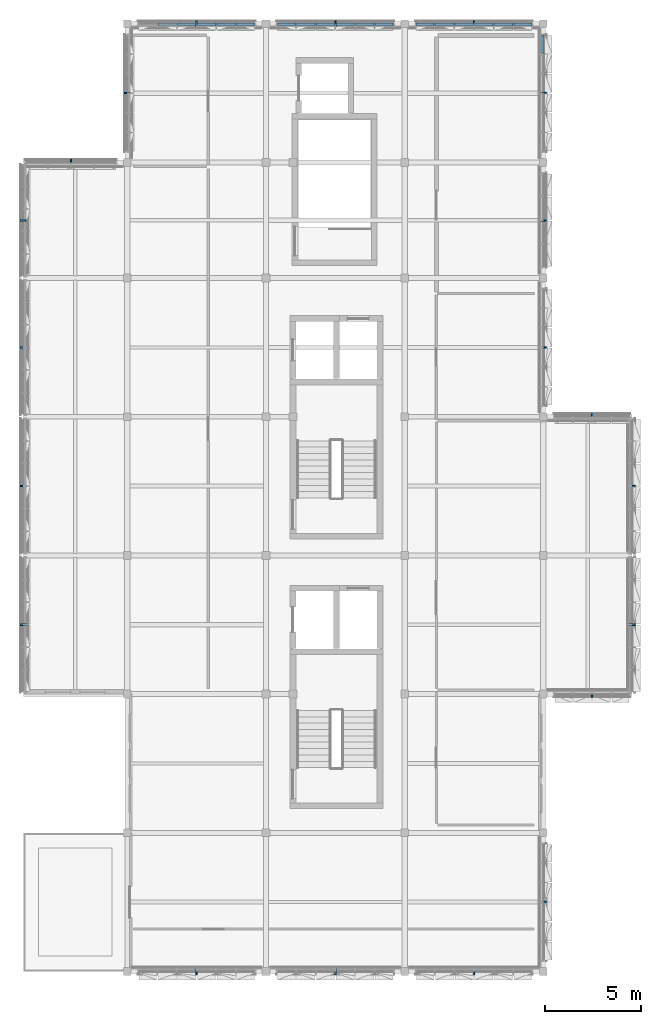
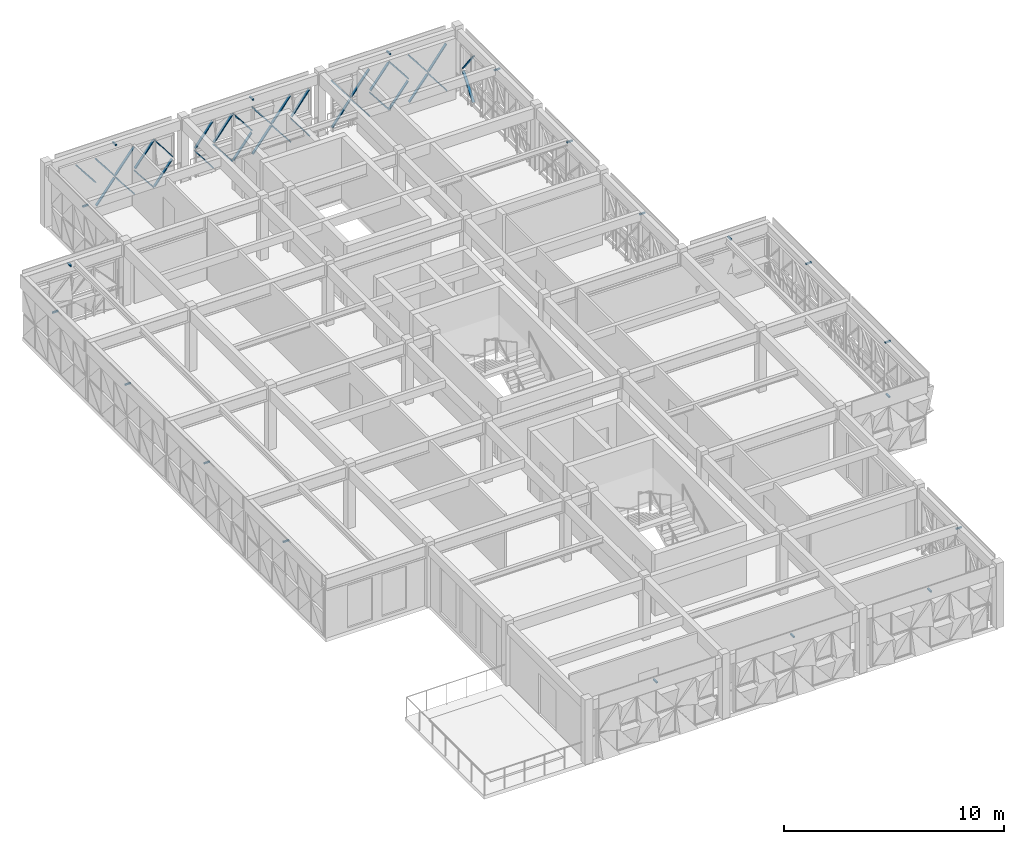
# One storey, part 19 of 25: 55 discrete accessories.
"""IFC4 building model written with IfcOpenShell, lengths in metres."""

from ifc_helpers import new_model, si_unit, direction, frame, origin, origin_2d, place, context, subcontext, project, spatial, rectangle, extrude, material, type_object, element, save


model = new_model("IFC4")

# Units and contexts
model_context = context("Model", 3, precision=1e-05, world=origin(), true_north=direction((0.0, 1.0)))
body_context = subcontext(model_context, "Body", "Model", "MODEL_VIEW")
ifc_project = project(units=[si_unit("LENGTHUNIT", "METRE"), si_unit("AREAUNIT", "SQUARE_METRE"), si_unit("VOLUMEUNIT", "CUBIC_METRE"), si_unit("PLANEANGLEUNIT", "RADIAN"), si_unit("MASSUNIT", "GRAM", prefix="KILO")], contexts=[model_context])

# Site, building, storey
site_placement = place(None, origin())
site = spatial("IfcSite", under=ifc_project, at=site_placement, CompositionType="ELEMENT")
building_placement = place(site_placement, origin())
building = spatial("IfcBuilding", under=site, at=building_placement, Name="Alvorim Cloister Faculty of Sciences", CompositionType="ELEMENT")
storey_placement = place(building_placement, frame((0.0, 0.0, 29.699951171875)))
storey = spatial("IfcBuildingStorey", under=building, at=storey_placement, Name="L08", CompositionType="ELEMENT", Elevation=29.699951171875)

# Discrete accessories
ifc_material = material(Name="Aluminium Alloy 6063-T6", Category="aluminium")
discrete_accessory_type = type_object("IfcDiscreteAccessoryType", Name="ACC-DIAG-BAR", PredefinedType="BRACKET", material=ifc_material)
for number, where, z_axis, x_axis, name in (
    (1, (1.93994140625, 25.199951171875, 3.233642578125), (-1.0, 0.0, 0.0), (0.0, -1.0, 0.0), "Slab-Edge Fascia Tie Bracket ACC-03143"),
    (2, (1.93994140625, 32.39990234375, 3.233642578125), (-1.0, 0.0, 0.0), (0.0, -1.0, 0.0), "Slab-Edge Fascia Tie Bracket ACC-03156"),
    (3, (1.93994140625, 39.60009765625, 3.233642578125), (-1.0, 0.0, 0.0), (0.0, -1.0, 0.0), "Slab-Edge Fascia Tie Bracket ACC-03169"),
    (4, (1.93994140625, 46.199951171875, 3.233642578125), (-1.0, 0.0, 0.0), (0.0, -1.0, 0.0), "Slab-Edge Fascia Tie Bracket ACC-03180"),
    (5, (4.27001953125, 49.06005859375, 3.157958984375), (0.0, 1.0, 0.0), (-1.0, 0.0, 0.0), "Slab-Edge Fascia Tie Bracket ACC-03189"),
    (6, (7.340087890625, 52.800048828125, 3.22998046875), (-1.0, 0.0, 0.0), (0.0, -1.0, 0.0), "Slab-Edge Fascia Tie Bracket ACC-03202"),
):
    element("IfcDiscreteAccessory", number, at=place(storey_placement, frame(where, z_axis=z_axis, x_axis=x_axis)), inside=storey, type_object=discrete_accessory_type, Name=name, PredefinedType="BRACKET", context=body_context, shape_type="SweptSolid", body=[
        extrude(rectangle(XDim=0.080078125, YDim=0.080078125, at=origin_2d()), origin(), (0.0, 0.0, 1.0), 0.300048828125),
    ])
for number, where, z_axis, x_axis, name in (
    (7, (8.79248046875, 56.37744140625, 2.719970703125), (0.616422853607, -0.006460464468, -0.787388803546), (0.010479997039, 0.999945083323, 0.0), "Diagonal Cassette Glazing Bracket ACC-03206"),
    (8, (9.8125, 56.37744140625, 0.14013671875), (0.616422853607, -0.006460464468, 0.787388803546), (0.010479997039, 0.999945083323, 0.0), "Diagonal Cassette Glazing Bracket ACC-03207"),
    (9, (9.8125, 56.37744140625, 2.719970703125), (0.616422853607, -0.006460464468, -0.787388803546), (0.010479997039, 0.999945083323, 0.0), "Diagonal Cassette Glazing Bracket ACC-03208"),
    (10, (10.83251953125, 56.37744140625, 1.360107421875), (0.616422853607, -0.006460464468, -0.787388803546), (0.010479997039, 0.999945083323, 0.0), "Diagonal Cassette Glazing Bracket ACC-03209"),
    (11, (10.83251953125, 56.37744140625, 1.5), (0.616422853607, -0.006460464468, 0.787388803546), (0.010479997039, 0.999945083323, 0.0), "Diagonal Cassette Glazing Bracket ACC-03210"),
    (12, (11.8525390625, 56.37744140625, 1.360107421875), (0.616422853607, -0.006460464468, -0.787388803546), (0.010479997039, 0.999945083323, 0.0), "Diagonal Cassette Glazing Bracket ACC-03211"),
    (13, (11.8525390625, 56.37744140625, 1.5), (0.616422853607, -0.006460464468, 0.787388803546), (0.010479997039, 0.999945083323, 0.0), "Diagonal Cassette Glazing Bracket ACC-03212"),
):
    element("IfcDiscreteAccessory", number, at=place(storey_placement, frame(where, z_axis=z_axis, x_axis=x_axis)), inside=storey, type_object=discrete_accessory_type, Name=name, PredefinedType="BRACKET", context=body_context, shape_type="SweptSolid", body=[
        extrude(rectangle(XDim=0.139892578125, YDim=0.044921875, at=origin_2d()), origin(), (0.0, 0.0, 1.0), 1.54931640625),
    ])
for number, where, z_axis, x_axis, name in (
    (14, (12.87255859375, 56.37744140625, 0.14013671875), (0.603073063181, -0.006544731496, 0.797659104477), (0.010851663811, 0.999941118963, 0.0), "Diagonal Cassette Glazing Bracket ACC-03213"),
    (15, (12.87255859375, 56.37744140625, 2.719970703125), (0.603073063181, -0.006544731496, -0.797659104477), (0.010851663811, 0.999941118963, 0.0), "Diagonal Cassette Glazing Bracket ACC-03214"),
):
    element("IfcDiscreteAccessory", number, at=place(storey_placement, frame(where, z_axis=z_axis, x_axis=x_axis)), inside=storey, type_object=discrete_accessory_type, Name=name, PredefinedType="BRACKET", context=body_context, shape_type="SweptSolid", body=[
        extrude(rectangle(XDim=0.139892578125, YDim=0.044921875, at=origin_2d()), origin(), (0.0, 0.0, 1.0), 1.529541015625),
    ])
discrete_accessory_1_placement = place(storey_placement, frame((10.800048828125, 56.260009765625, 3.22998046875), z_axis=(0.0, 1.0, 0.0), x_axis=(-1.0, 0.0, 0.0)))
element("IfcDiscreteAccessory", 16, at=discrete_accessory_1_placement, inside=storey, type_object=discrete_accessory_type, Name="Slab-Edge Fascia Tie Bracket ACC-03215", PredefinedType="BRACKET", context=body_context, shape_type="SweptSolid", body=[
    extrude(rectangle(XDim=0.080078125, YDim=0.080078125, at=origin_2d()), origin(), (0.0, 0.0, 1.0), 0.300048828125),
])
for number, where, z_axis, x_axis, name in (
    (17, (15.0048828125, 56.37744140625, 1.360107421875), (0.603174620015, -0.006544101461, -0.797582317072), (0.010848792579, 0.999941150118, 0.0), "Diagonal Cassette Glazing Bracket ACC-03216"),
    (18, (15.0048828125, 56.37744140625, 1.5), (0.603174620015, -0.006544101461, 0.797582317072), (0.010848792579, 0.999941150118, 0.0), "Diagonal Cassette Glazing Bracket ACC-03217"),
):
    element("IfcDiscreteAccessory", number, at=place(storey_placement, frame(where, z_axis=z_axis, x_axis=x_axis)), inside=storey, type_object=discrete_accessory_type, Name=name, PredefinedType="BRACKET", context=body_context, shape_type="SweptSolid", body=[
        extrude(rectangle(XDim=0.139892578125, YDim=0.044921875, at=origin_2d()), origin(), (0.0, 0.0, 1.0), 1.529541015625),
    ])
for number, where, z_axis, x_axis, name in (
    (19, (15.992431640625, 56.37744140625, 1.360107421875), (0.616422853607, -0.006460464468, -0.787388803546), (0.010479997039, 0.999945083323, 0.0), "Diagonal Cassette Glazing Bracket ACC-03218"),
    (20, (15.992431640625, 56.37744140625, 1.5), (0.616422853607, -0.006460464468, 0.787388803546), (0.010479997039, 0.999945083323, 0.0), "Diagonal Cassette Glazing Bracket ACC-03219"),
    (21, (17.012451171875, 56.37744140625, 0.14013671875), (0.616422853607, -0.006460464468, 0.787388803546), (0.010479997039, 0.999945083323, 0.0), "Diagonal Cassette Glazing Bracket ACC-03220"),
    (22, (17.012451171875, 56.37744140625, 2.719970703125), (0.616422853607, -0.006460464468, -0.787388803546), (0.010479997039, 0.999945083323, 0.0), "Diagonal Cassette Glazing Bracket ACC-03221"),
    (23, (18.032470703125, 56.37744140625, 0.14013671875), (0.616422853607, -0.006460464468, 0.787388803546), (0.010479997039, 0.999945083323, 0.0), "Diagonal Cassette Glazing Bracket ACC-03222"),
    (24, (18.032470703125, 56.37744140625, 2.719970703125), (0.616422853607, -0.006460464468, -0.787388803546), (0.010479997039, 0.999945083323, 0.0), "Diagonal Cassette Glazing Bracket ACC-03223"),
    (25, (19.052490234375, 56.37744140625, 1.360107421875), (0.616422853607, -0.006460464468, -0.787388803546), (0.010479997039, 0.999945083323, 0.0), "Diagonal Cassette Glazing Bracket ACC-03224"),
    (26, (19.052490234375, 56.37744140625, 1.5), (0.616422853607, -0.006460464468, 0.787388803546), (0.010479997039, 0.999945083323, 0.0), "Diagonal Cassette Glazing Bracket ACC-03225"),
):
    element("IfcDiscreteAccessory", number, at=place(storey_placement, frame(where, z_axis=z_axis, x_axis=x_axis)), inside=storey, type_object=discrete_accessory_type, Name=name, PredefinedType="BRACKET", context=body_context, shape_type="SweptSolid", body=[
        extrude(rectangle(XDim=0.139892578125, YDim=0.044921875, at=origin_2d()), origin(), (0.0, 0.0, 1.0), 1.54931640625),
    ])
for number, where, z_axis, x_axis, name in (
    (27, (20.072509765625, 56.37744140625, 1.360107421875), (0.603174620015, -0.006544101461, -0.797582317072), (0.010848792579, 0.999941150118, 0.0), "Diagonal Cassette Glazing Bracket ACC-03226"),
    (28, (20.072509765625, 56.37744140625, 1.5), (0.603174620015, -0.006544101461, 0.797582317072), (0.010848792579, 0.999941150118, 0.0), "Diagonal Cassette Glazing Bracket ACC-03227"),
):
    element("IfcDiscreteAccessory", number, at=place(storey_placement, frame(where, z_axis=z_axis, x_axis=x_axis)), inside=storey, type_object=discrete_accessory_type, Name=name, PredefinedType="BRACKET", context=body_context, shape_type="SweptSolid", body=[
        extrude(rectangle(XDim=0.139892578125, YDim=0.044921875, at=origin_2d()), origin(), (0.0, 0.0, 1.0), 1.529541015625),
    ])
discrete_accessory_2_placement = place(storey_placement, frame((18.0, 56.260009765625, 3.22998046875), z_axis=(0.0, 1.0, 0.0), x_axis=(-1.0, 0.0, 0.0)))
element("IfcDiscreteAccessory", 29, at=discrete_accessory_2_placement, inside=storey, type_object=discrete_accessory_type, Name="Slab-Edge Fascia Tie Bracket ACC-03228", PredefinedType="BRACKET", context=body_context, shape_type="SweptSolid", body=[
    extrude(rectangle(XDim=0.080078125, YDim=0.080078125, at=origin_2d()), origin(), (0.0, 0.0, 1.0), 0.300048828125),
])
for number, where, z_axis, x_axis, name in (
    (30, (22.205078125, 56.37744140625, 0.14013671875), (0.603073063181, -0.006544731496, 0.797659104477), (0.010851663811, 0.999941118963, 0.0), "Diagonal Cassette Glazing Bracket ACC-03229"),
    (31, (22.205078125, 56.37744140625, 2.719970703125), (0.603073063181, -0.006544731496, -0.797659104477), (0.010851663811, 0.999941118963, 0.0), "Diagonal Cassette Glazing Bracket ACC-03230"),
):
    element("IfcDiscreteAccessory", number, at=place(storey_placement, frame(where, z_axis=z_axis, x_axis=x_axis)), inside=storey, type_object=discrete_accessory_type, Name=name, PredefinedType="BRACKET", context=body_context, shape_type="SweptSolid", body=[
        extrude(rectangle(XDim=0.139892578125, YDim=0.044921875, at=origin_2d()), origin(), (0.0, 0.0, 1.0), 1.529541015625),
    ])
for number, where, z_axis, x_axis, name in (
    (32, (23.1923828125, 56.37744140625, 1.360107421875), (0.616422853607, -0.006460464468, -0.787388803546), (0.010479997039, 0.999945083323, 0.0), "Diagonal Cassette Glazing Bracket ACC-03231"),
    (33, (23.1923828125, 56.37744140625, 1.5), (0.616422853607, -0.006460464468, 0.787388803546), (0.010479997039, 0.999945083323, 0.0), "Diagonal Cassette Glazing Bracket ACC-03232"),
    (34, (24.21240234375, 56.37744140625, 1.360107421875), (0.616422853607, -0.006460464468, -0.787388803546), (0.010479997039, 0.999945083323, 0.0), "Diagonal Cassette Glazing Bracket ACC-03233"),
    (35, (24.21240234375, 56.37744140625, 1.5), (0.616422853607, -0.006460464468, 0.787388803546), (0.010479997039, 0.999945083323, 0.0), "Diagonal Cassette Glazing Bracket ACC-03234"),
    (36, (25.232421875, 56.37744140625, 0.14013671875), (0.616422853607, -0.006460464468, 0.787388803546), (0.010479997039, 0.999945083323, 0.0), "Diagonal Cassette Glazing Bracket ACC-03235"),
    (37, (25.232421875, 56.37744140625, 2.719970703125), (0.616422853607, -0.006460464468, -0.787388803546), (0.010479997039, 0.999945083323, 0.0), "Diagonal Cassette Glazing Bracket ACC-03236"),
    (38, (26.25244140625, 56.37744140625, 0.14013671875), (0.616422853607, -0.006460464468, 0.787388803546), (0.010479997039, 0.999945083323, 0.0), "Diagonal Cassette Glazing Bracket ACC-03237"),
    (39, (26.25244140625, 56.37744140625, 2.719970703125), (0.616422853607, -0.006460464468, -0.787388803546), (0.010479997039, 0.999945083323, 0.0), "Diagonal Cassette Glazing Bracket ACC-03238"),
):
    element("IfcDiscreteAccessory", number, at=place(storey_placement, frame(where, z_axis=z_axis, x_axis=x_axis)), inside=storey, type_object=discrete_accessory_type, Name=name, PredefinedType="BRACKET", context=body_context, shape_type="SweptSolid", body=[
        extrude(rectangle(XDim=0.139892578125, YDim=0.044921875, at=origin_2d()), origin(), (0.0, 0.0, 1.0), 1.54931640625),
    ])
for number, where, z_axis, x_axis, name in (
    (40, (27.2724609375, 56.37744140625, 1.360107421875), (0.603174620015, -0.006544101461, -0.797582317072), (0.010848792579, 0.999941150118, 0.0), "Diagonal Cassette Glazing Bracket ACC-03239"),
    (41, (27.2724609375, 56.37744140625, 1.5), (0.603174620015, -0.006544101461, 0.797582317072), (0.010848792579, 0.999941150118, 0.0), "Diagonal Cassette Glazing Bracket ACC-03240"),
):
    element("IfcDiscreteAccessory", number, at=place(storey_placement, frame(where, z_axis=z_axis, x_axis=x_axis)), inside=storey, type_object=discrete_accessory_type, Name=name, PredefinedType="BRACKET", context=body_context, shape_type="SweptSolid", body=[
        extrude(rectangle(XDim=0.139892578125, YDim=0.044921875, at=origin_2d()), origin(), (0.0, 0.0, 1.0), 1.529541015625),
    ])
discrete_accessory_3_placement = place(storey_placement, frame((25.199951171875, 56.260009765625, 3.22998046875), z_axis=(0.0, 1.0, 0.0), x_axis=(-1.0, 0.0, 0.0)))
element("IfcDiscreteAccessory", 42, at=discrete_accessory_3_placement, inside=storey, type_object=discrete_accessory_type, Name="Slab-Edge Fascia Tie Bracket ACC-03241", PredefinedType="BRACKET", context=body_context, shape_type="SweptSolid", body=[
    extrude(rectangle(XDim=0.080078125, YDim=0.080078125, at=origin_2d()), origin(), (0.0, 0.0, 1.0), 0.300048828125),
])
for number, where, z_axis, x_axis, name in (
    (43, (28.777587890625, 54.87255859375, 0.14013671875), (-0.006544731496, 0.603073063181, 0.797659104477), (-0.999941118963, -0.010851663811, 0.0), "Diagonal Cassette Glazing Bracket ACC-03252"),
    (44, (28.777587890625, 54.87255859375, 2.719970703125), (-0.006544731496, 0.603073063181, -0.797659104477), (-0.999941118963, -0.010851663811, 0.0), "Diagonal Cassette Glazing Bracket ACC-03253"),
):
    element("IfcDiscreteAccessory", number, at=place(storey_placement, frame(where, z_axis=z_axis, x_axis=x_axis)), inside=storey, type_object=discrete_accessory_type, Name=name, PredefinedType="BRACKET", context=body_context, shape_type="SweptSolid", body=[
        extrude(rectangle(XDim=0.139892578125, YDim=0.044921875, at=origin_2d()), origin(), (0.0, 0.0, 1.0), 1.529541015625),
    ])
for number, where, z_axis, x_axis, name in (
    (45, (28.659912109375, 52.800048828125, 3.22998046875), (1.0, 0.0, 0.0), (0.0, 1.0, 0.0), "Slab-Edge Fascia Tie Bracket ACC-03254"),
    (46, (28.659912109375, 46.199951171875, 3.22998046875), (1.0, 0.0, 0.0), (0.0, 1.0, 0.0), "Slab-Edge Fascia Tie Bracket ACC-03263"),
    (47, (28.659912109375, 39.60009765625, 3.22998046875), (1.0, 0.0, 0.0), (0.0, 1.0, 0.0), "Slab-Edge Fascia Tie Bracket ACC-03276"),
):
    element("IfcDiscreteAccessory", number, at=place(storey_placement, frame(where, z_axis=z_axis, x_axis=x_axis)), inside=storey, type_object=discrete_accessory_type, Name=name, PredefinedType="BRACKET", context=body_context, shape_type="SweptSolid", body=[
        extrude(rectangle(XDim=0.080078125, YDim=0.080078125, at=origin_2d()), origin(), (0.0, 0.0, 1.0), 0.300048828125),
    ])
discrete_accessory_4_placement = place(storey_placement, frame((31.330078125, 35.860107421875, 3.157958984375), z_axis=(0.0, 1.0, 0.0), x_axis=(-1.0, 0.0, 0.0)))
element("IfcDiscreteAccessory", 48, at=discrete_accessory_4_placement, inside=storey, type_object=discrete_accessory_type, Name="Slab-Edge Fascia Tie Bracket ACC-03285", PredefinedType="BRACKET", context=body_context, shape_type="SweptSolid", body=[
    extrude(rectangle(XDim=0.080078125, YDim=0.080078125, at=origin_2d()), origin(), (0.0, 0.0, 1.0), 0.2998046875),
])
for number, where, z_axis, x_axis, name in (
    (49, (33.260009765625, 32.39990234375, 3.233642578125), (1.0, 0.0, 0.0), (0.0, 1.0, 0.0), "Slab-Edge Fascia Tie Bracket ACC-03298"),
    (50, (33.260009765625, 25.199951171875, 3.233642578125), (1.0, 0.0, 0.0), (0.0, 1.0, 0.0), "Slab-Edge Fascia Tie Bracket ACC-03311"),
    (51, (31.330078125, 21.739990234375, 3.157958984375), (0.0, -1.0, 0.0), (1.0, 0.0, 0.0), "Slab-Edge Fascia Tie Bracket ACC-03320"),
    (52, (28.659912109375, 10.800048828125, 3.22998046875), (1.0, 0.0, 0.0), (0.0, 1.0, 0.0), "Slab-Edge Fascia Tie Bracket ACC-03333"),
    (53, (25.199951171875, 7.340087890625, 3.22998046875), (0.0, -1.0, 0.0), (1.0, 0.0, 0.0), "Slab-Edge Fascia Tie Bracket ACC-03346"),
    (54, (18.0, 7.340087890625, 3.22998046875), (0.0, -1.0, 0.0), (1.0, 0.0, 0.0), "Slab-Edge Fascia Tie Bracket ACC-03359"),
    (55, (10.800048828125, 7.340087890625, 3.22998046875), (0.0, -1.0, 0.0), (1.0, 0.0, 0.0), "Slab-Edge Fascia Tie Bracket ACC-03372"),
):
    element("IfcDiscreteAccessory", number, at=place(storey_placement, frame(where, z_axis=z_axis, x_axis=x_axis)), inside=storey, type_object=discrete_accessory_type, Name=name, PredefinedType="BRACKET", context=body_context, shape_type="SweptSolid", body=[
        extrude(rectangle(XDim=0.080078125, YDim=0.080078125, at=origin_2d()), origin(), (0.0, 0.0, 1.0), 0.300048828125),
    ])

save(model, "model.ifc")
